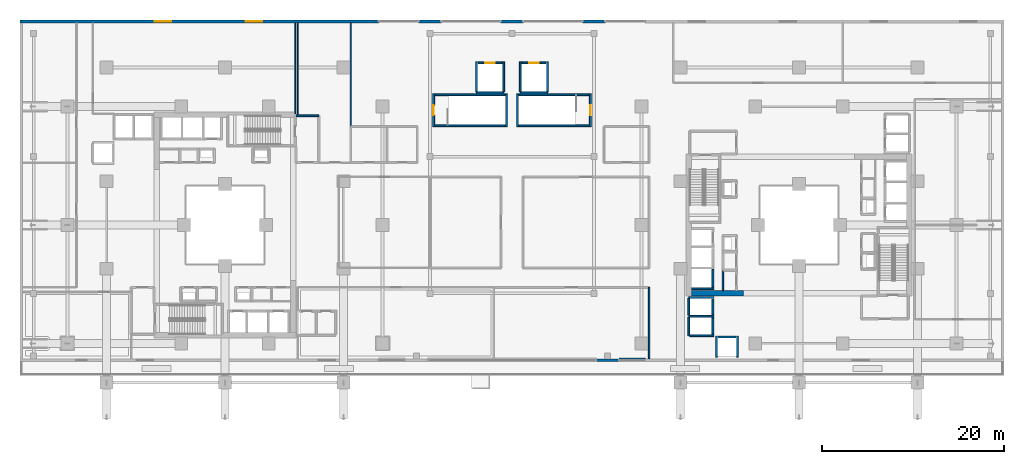
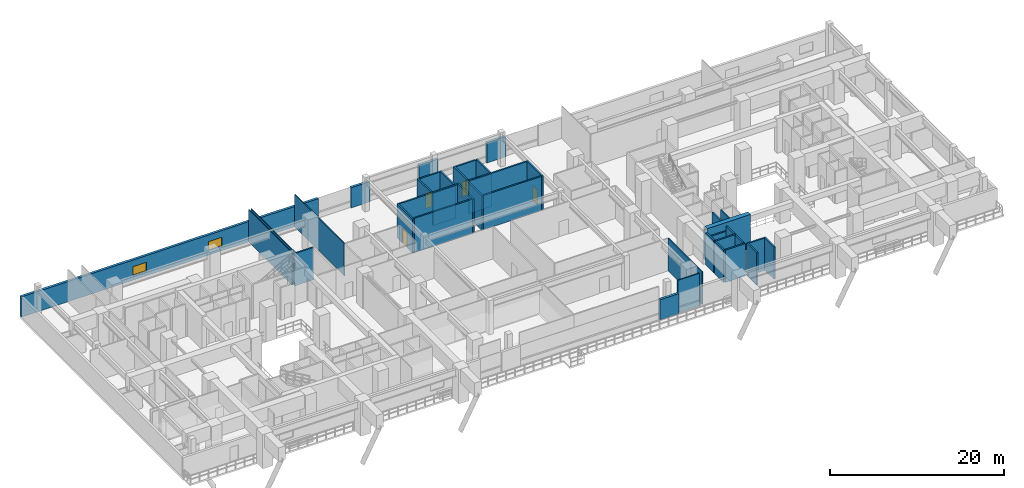
# One storey, part 17 of 25: 42 walls, 4 doors, 2 windows, 6 openings.
"""IFC4 building model written with IfcOpenShell, lengths in metres."""

import ifcopenshell
import ifcopenshell.guid

model = None  # the IFC model being written
_history = None  # IfcOwnerHistory: only IFC2X3 demands one
_inside = {}  # id of a spatial element -> (the spatial element, [elements in it])
_under = {}  # id of a project, library or spatial element -> (it, [spatial elements below it])
_declared = {}  # id of a project -> (the project, [libraries it declares])
_typed = {}  # id of a type object -> (the type object, [elements of that type])
_made_of = {}  # id of a material, layer set ... -> (it, [elements and type objects made of it])


def new_model(schema):
    """Start an empty IFC model of exactly this schema.

    Asked for "IFC4X3", IfcOpenShell would pick the latest addendum, in which some entities
    have other attributes; the version numbers below select the first issue.
    IFC2X3 requires an IfcOwnerHistory on every rooted entity: one is made here for all.
    """
    global model, _history
    if schema == "IFC4X3":
        model = ifcopenshell.file(schema_version=(4, 3, 0, 0))
    else:
        model = ifcopenshell.file(schema=schema)
    _inside.clear()
    _under.clear()
    _declared.clear()
    _typed.clear()
    _made_of.clear()
    _history = None
    if model.schema == "IFC2X3":
        org = make("IfcOrganization", Name="unknown")
        user = make(
            "IfcPersonAndOrganization",
            ThePerson=make("IfcPerson", FamilyName="unknown"),
            TheOrganization=org,
        )
        app = make(
            "IfcApplication",
            ApplicationDeveloper=org,
            Version="unknown",
            ApplicationFullName="unknown",
            ApplicationIdentifier="unknown",
        )
        _history = make(
            "IfcOwnerHistory",
            OwningUser=user,
            OwningApplication=app,
            ChangeAction="ADDED",
            CreationDate=0,
        )
    return model


def make(cls, **values):
    """One entity of the class cls with the attributes given. An attribute that is None is left unset."""
    return model.create_entity(
        cls, **{name: value for name, value in values.items() if value is not None}
    )


def rooted(cls, **values):
    """An entity with a GlobalId (a new one), such as an element, a storey or a relation."""
    return make(cls, GlobalId=ifcopenshell.guid.new(), OwnerHistory=_history, **values)


def si_unit(unit_type, name, prefix=None):
    """IfcSIUnit, for example si_unit("LENGTHUNIT", "METRE", prefix="MILLI")."""
    return make("IfcSIUnit", UnitType=unit_type, Prefix=prefix, Name=name)


def assignment(units):
    """IfcUnitAssignment: the units of a project."""
    return None if units is None else make("IfcUnitAssignment", Units=units)


def point(xyz):
    """IfcCartesianPoint."""
    return None if xyz is None else make("IfcCartesianPoint", Coordinates=xyz)


def direction(xyz):
    """IfcDirection."""
    return None if xyz is None else make("IfcDirection", DirectionRatios=xyz)


def frame(location, z_axis=None, x_axis=None):
    """IfcAxis2Placement3D, a coordinate frame: its origin and axes. An axis left out is left unset."""
    return make(
        "IfcAxis2Placement3D",
        Location=point(location),
        Axis=direction(z_axis),
        RefDirection=direction(x_axis),
    )


def frame_2d(location, x_axis=None):
    """IfcAxis2Placement2D, a coordinate frame in the plane: its origin and x axis."""
    return make(
        "IfcAxis2Placement2D", Location=point(location), RefDirection=direction(x_axis)
    )


def origin():
    """The frame at (0, 0, 0) with its axes left unset."""
    return frame((0.0, 0.0, 0.0))


def place(relative_to, where):
    """IfcLocalPlacement: puts the frame where relative to a parent placement (None: the world)."""
    return make(
        "IfcLocalPlacement", PlacementRelTo=relative_to, RelativePlacement=where
    )


def context(
    kind, dimensions, precision=None, world=None, true_north=None, identifier=None
):
    """IfcGeometricRepresentationContext, for example the 3D "Model" context."""
    return make(
        "IfcGeometricRepresentationContext",
        ContextIdentifier=identifier,
        ContextType=kind,
        CoordinateSpaceDimension=dimensions,
        Precision=precision,
        WorldCoordinateSystem=world,
        TrueNorth=true_north,
    )


def subcontext(parent, identifier, kind, view, scale=None):
    """IfcGeometricRepresentationSubContext, for example "Body" below "Model"."""
    return make(
        "IfcGeometricRepresentationSubContext",
        ContextIdentifier=identifier,
        ContextType=kind,
        ParentContext=parent,
        TargetScale=scale,
        TargetView=view,
    )


def project(units=None, contexts=None):
    """IfcProject with its units and contexts."""
    return rooted(
        "IfcProject",
        Name="project",
        RepresentationContexts=contexts,
        UnitsInContext=assignment(units),
    )


def spatial(cls, under=None, at=None, **own):
    """A site, building, storey or space (cls), placed at a placement, below another one or the project."""
    s = rooted(cls, ObjectPlacement=at, **own)
    if under is not None:
        _under.setdefault(under.id(), (under, []))[1].append(s)
    return s


def profile(cls, at=None, kind="AREA", **sizes):
    """A parametric profile (cls). Its sizes go by their IFC names, for example OverallWidth=200.0."""
    return make(cls, ProfileType=kind, Position=at, **sizes)


def rectangle(**sizes):
    """IfcRectangleProfileDef."""
    return profile("IfcRectangleProfileDef", **sizes)


def extrude(swept, where, along, depth):
    """IfcExtrudedAreaSolid: the profile swept, set in the frame where, extruded along a direction by depth."""
    return make(
        "IfcExtrudedAreaSolid",
        SweptArea=swept,
        Position=where,
        ExtrudedDirection=direction(along),
        Depth=depth,
    )


def shape(context_of_items, identifier, shape_type, items):
    """IfcShapeRepresentation: the items that make up one representation, for example the "Body"."""
    return make(
        "IfcShapeRepresentation",
        ContextOfItems=context_of_items,
        RepresentationIdentifier=identifier,
        RepresentationType=shape_type,
        Items=items,
    )


def material(Name=None, Category=None):
    """IfcMaterial."""
    return make("IfcMaterial", Name=Name, Category=Category)


def layer(
    of_material, thickness, ventilated=None, Name=None, Category=None, Priority=None
):
    """IfcMaterialLayer: one layer of a wall or slab, of a material (None: an air gap)."""
    return make(
        "IfcMaterialLayer",
        Material=of_material,
        LayerThickness=thickness,
        IsVentilated=ventilated,
        Name=Name,
        Category=Category,
        Priority=Priority,
    )


def layer_set(layers, Name=None):
    """IfcMaterialLayerSet."""
    return make("IfcMaterialLayerSet", MaterialLayers=layers, LayerSetName=Name)


def made_of(thing, what):
    """Note that an element or type object is made of a material, layer set ...; save() writes the relation."""
    if what is not None:
        _made_of.setdefault(what.id(), (what, []))[1].append(thing)
    return thing


def type_object(cls, material=None, **own):
    """A type object (cls), such as IfcWallType, which elements share."""
    return made_of(rooted(cls, **own), material)


def element(
    cls,
    number,
    at=None,
    inside=None,
    cuts=None,
    type_object=None,
    material=None,
    context=None,
    identifier="Body",
    shape_type=None,
    held_by="IfcProductDefinitionShape",
    body=None,
    shapes=None,
    **own,
):
    """One element of the class cls, such as IfcWall. Its Tag is "e" and its number.

    at: its placement. inside: the storey or other place that contains it. cuts: it is an
    opening in that element (IfcRelVoidsElement). A single representation is given by context,
    identifier, shape_type and body (its items); several are given by shapes. held_by: the class
    of the entity that holds the representations. save() writes the other relations.
    """
    e = rooted(cls, Tag="e%d" % number, ObjectPlacement=at, **own)
    if body is not None:
        shapes = [shape(context, identifier, shape_type, body)]
    if shapes is not None:
        e.Representation = make(held_by, Representations=shapes)
    if inside is not None:
        _inside.setdefault(inside.id(), (inside, []))[1].append(e)
    if cuts is not None:
        rooted(
            "IfcRelVoidsElement", RelatingBuildingElement=cuts, RelatedOpeningElement=e
        )
    if type_object is not None:
        _typed.setdefault(type_object.id(), (type_object, []))[1].append(e)
    return made_of(e, material)


def fill(opening, filler):
    """IfcRelFillsElement: the door or window that sits in an opening."""
    return rooted(
        "IfcRelFillsElement",
        RelatingOpeningElement=opening,
        RelatedBuildingElement=filler,
    )


def aggregate(whole, parts):
    """IfcRelAggregates: a whole, such as a stair, and the parts it consists of."""
    return rooted("IfcRelAggregates", RelatingObject=whole, RelatedObjects=parts)


def save(model, path):
    """Write the relations noted so far, then the file.

    IfcRelAggregates (storeys below a building ...), IfcRelContainedInSpatialStructure (elements
    in a storey), IfcRelDefinesByType, IfcRelAssociatesMaterial and IfcRelDeclares: one each for
    every whole, place, type object, material and project.
    """
    for whole, parts in _under.values():
        aggregate(whole, parts)
    for where, things in _inside.values():
        rooted(
            "IfcRelContainedInSpatialStructure",
            RelatedElements=things,
            RelatingStructure=where,
        )
    for kind, things in _typed.values():
        rooted("IfcRelDefinesByType", RelatedObjects=things, RelatingType=kind)
    for what, things in _made_of.values():
        rooted("IfcRelAssociatesMaterial", RelatedObjects=things, RelatingMaterial=what)
    for by, libraries in _declared.values():
        rooted("IfcRelDeclares", RelatingContext=by, RelatedDefinitions=libraries)
    model.write(path)


model = new_model("IFC4")

# Units and contexts
model_context = context("Model", 3, precision=1e-05, world=origin(), true_north=direction((0.0, 1.0)))
body_context = subcontext(model_context, "Body", "Model", "MODEL_VIEW")
ifc_project = project(units=[si_unit("LENGTHUNIT", "METRE"), si_unit("AREAUNIT", "SQUARE_METRE"), si_unit("VOLUMEUNIT", "CUBIC_METRE"), si_unit("PLANEANGLEUNIT", "RADIAN"), si_unit("MASSUNIT", "GRAM", prefix="KILO")], contexts=[model_context])

# Site, building, storey
site_placement = place(None, origin())
site = spatial("IfcSite", under=ifc_project, at=site_placement, CompositionType="ELEMENT")
building_placement = place(site_placement, origin())
building = spatial("IfcBuilding", under=site, at=building_placement, Name="Thornwick Lancets Civic Towers", CompositionType="ELEMENT")
storey_placement = place(building_placement, frame((0.0, 0.0, 23.10009765625)))
storey = spatial("IfcBuildingStorey", under=building, at=storey_placement, Name="L05", CompositionType="ELEMENT", Elevation=23.10009765625)

# Walls
ifc_material_1 = material(Name="Concrete blockwork C40/50", Category="masonry")
ifc_layer_1 = layer(ifc_material_1, 0.199951171875, Name="Concrete blockwork C40/50")
ifc_layer_set_1 = layer_set([ifc_layer_1], Name="Concrete blockwork C40/50")
wall_type_1 = type_object("IfcWallType", Name="WALL_COMP_200", PredefinedType="STANDARD", material=ifc_layer_set_1)
wall_1_placement = place(storey_placement, frame((79.050048828125, 20.179931640625, 0.0), z_axis=(0.0, 0.0, 1.0), x_axis=(0.0, 1.0, 0.0)))
element("IfcWall", 1, at=wall_1_placement, inside=storey, type_object=wall_type_1, Name="L05 Hoistway Front Wall PL-BH3", PredefinedType="STANDARD", context=body_context, shape_type="SweptSolid", body=[
    extrude(rectangle(XDim=1.940185546875, YDim=0.199951171875, at=frame_2d((0.97021484375, 0.0))), origin(), (0.0, 0.0, 1.0), 4.539794921875),
])
wall_2_placement = place(storey_placement, frame((79.050048828125, 17.1298828125, 0.0), z_axis=(0.0, 0.0, 1.0), x_axis=(0.0, 1.0, 0.0)))
element("IfcWall", 2, at=wall_2_placement, inside=storey, type_object=wall_type_1, Name="L05 Hoistway Front Wall PL-BM1", PredefinedType="STANDARD", context=body_context, shape_type="SweptSolid", body=[
    extrude(rectangle(XDim=1.740234375, YDim=0.199951171875, at=frame_2d((0.8701171875, 0.0))), origin(), (0.0, 0.0, 1.0), 4.539794921875),
])
wall_3_placement = place(storey_placement, frame((79.050048828125, 15.030029296875, 0.0), z_axis=(0.0, 0.0, 1.0), x_axis=(0.0, 1.0, 0.0)))
element("IfcWall", 3, at=wall_3_placement, inside=storey, type_object=wall_type_1, Name="L05 Hoistway Front Wall PL-BM2", PredefinedType="STANDARD", context=body_context, shape_type="SweptSolid", body=[
    extrude(rectangle(XDim=1.7900390625, YDim=0.199951171875, at=frame_2d((0.89501953125, 0.0))), origin(), (0.0, 0.0, 1.0), 4.539794921875),
])
wall_4_placement = place(storey_placement, frame((79.6298828125, 14.699951171875, 0.0), z_axis=(0.0, 0.0, 1.0), x_axis=(1.0, 0.0, 0.0)))
element("IfcWall", 4, at=wall_4_placement, inside=storey, type_object=wall_type_1, Name="L05 Hoistway Front Wall PL-BM3", PredefinedType="STANDARD", context=body_context, shape_type="SweptSolid", body=[
    extrude(rectangle(XDim=1.940185546875, YDim=0.199951171875, at=frame_2d((0.97021484375, 0.0))), origin(), (0.0, 0.0, 1.0), 4.539794921875),
])

# Wall, opening, door
wall_5_placement = place(storey_placement, frame((53.280029296875, 44.800048828125, 0.0), z_axis=(0.0, 0.0, 1.0), x_axis=(1.0, 0.0, 0.0)))
wall_5 = element("IfcWall", 5, at=wall_5_placement, inside=storey, type_object=wall_type_1, Name="L05 Hoistway Front Wall GL-P1", PredefinedType="STANDARD", context=body_context, shape_type="SweptSolid", body=[
    extrude(rectangle(XDim=2.639892578125, YDim=0.199951171875, at=frame_2d((1.31982421875, 0.0))), origin(), (0.0, 0.0, 1.0), 4.539794921875),
])
opening_1_placement = place(wall_5_placement, frame((0.81005859375, 0.0, 0.0)))
opening_1 = element("IfcOpeningElement", 6, at=opening_1_placement, cuts=wall_5, Name="Opening LD-GL-P1", PredefinedType="OPENING", context=body_context, shape_type="SweptSolid", body=[
    extrude(rectangle(XDim=1.02001953125, YDim=2.06005859375, at=frame_2d((0.510009765625, 1.030029296875))), frame((0.0, 0.10986328125, 0.0), z_axis=(0.0, -1.0, 0.0), x_axis=(1.0, 0.0, 0.0)), (0.0, 0.0, 1.0), 0.219970703125),
])
ifc_material_2 = material(Name="Brushed bronze stainless steel", Category="steel")
door_type_1 = type_object("IfcDoorType", Name="DOOR_LIFT_SLIDE", OperationType="SLIDING_TO_LEFT", PredefinedType="DOOR", material=ifc_material_2)
door_1_placement = place(opening_1_placement, origin())
door_1 = element("IfcDoor", 7, at=door_1_placement, inside=storey, type_object=door_type_1, Name="L05 Sliding Lift Landing Door LD-GL-P1", OperationType="SLIDING_TO_LEFT", OverallHeight=2.06005859375, OverallWidth=1.02001953125, PredefinedType="DOOR", context=body_context, shape_type="SweptSolid", body=[
    extrude(rectangle(XDim=1.02001953125, YDim=2.06005859375, at=frame_2d((0.510009765625, 1.030029296875))), frame((0.0, 0.02490234375, 0.0), z_axis=(0.0, -1.0, 0.0), x_axis=(1.0, 0.0, 0.0)), (0.0, 0.0, 1.0), 0.050048828125),
])
fill(opening_1, door_1)

wall_6_placement = place(storey_placement, frame((58.080078125, 44.800048828125, 0.0), z_axis=(0.0, 0.0, 1.0), x_axis=(1.0, 0.0, 0.0)))
wall_6 = element("IfcWall", 8, at=wall_6_placement, inside=storey, type_object=wall_type_1, Name="L05 Hoistway Front Wall GL-P2", PredefinedType="STANDARD", context=body_context, shape_type="SweptSolid", body=[
    extrude(rectangle(XDim=2.639892578125, YDim=0.199951171875, at=frame_2d((1.31982421875, 0.0))), origin(), (0.0, 0.0, 1.0), 4.539794921875),
])
opening_2_placement = place(wall_6_placement, frame((0.81005859375, 0.0, 0.0)))
opening_2 = element("IfcOpeningElement", 9, at=opening_2_placement, cuts=wall_6, Name="Opening LD-GL-P2", PredefinedType="OPENING", context=body_context, shape_type="SweptSolid", body=[
    extrude(rectangle(XDim=1.02001953125, YDim=2.06005859375, at=frame_2d((0.510009765625, 1.030029296875))), frame((0.0, 0.10986328125, 0.0), z_axis=(0.0, -1.0, 0.0), x_axis=(1.0, 0.0, 0.0)), (0.0, 0.0, 1.0), 0.219970703125),
])
door_2_placement = place(opening_2_placement, origin())
door_2 = element("IfcDoor", 10, at=door_2_placement, inside=storey, type_object=door_type_1, Name="L05 Sliding Lift Landing Door LD-GL-P2", OperationType="SLIDING_TO_LEFT", OverallHeight=2.06005859375, OverallWidth=1.02001953125, PredefinedType="DOOR", context=body_context, shape_type="SweptSolid", body=[
    extrude(rectangle(XDim=1.02001953125, YDim=2.06005859375, at=frame_2d((0.510009765625, 1.030029296875))), frame((0.0, 0.02490234375, 0.0), z_axis=(0.0, -1.0, 0.0), x_axis=(1.0, 0.0, 0.0)), (0.0, 0.0, 1.0), 0.050048828125),
])
fill(opening_2, door_2)

# Walls
wall_7_placement = place(storey_placement, frame((76.7119140625, 20.0, 0.0), z_axis=(0.0, 0.0, 1.0), x_axis=(1.0, 0.0, 0.0)))
element("IfcWall", 11, at=wall_7_placement, inside=storey, type_object=wall_type_1, Name="L05 Hoistway Shaft Wall PL-BH3 S", PredefinedType="STANDARD", context=body_context, shape_type="SweptSolid", body=[
    extrude(rectangle(XDim=2.43603515625, YDim=0.199951171875, at=frame_2d((1.218017578125, 0.0))), origin(), (0.0, 0.0, 1.0), 4.539794921875),
])
wall_8_placement = place(storey_placement, frame((76.402099609375, 19.050048828125, 0.0), z_axis=(0.0, 0.0, 1.0), x_axis=(1.0, 0.0, 0.0)))
element("IfcWall", 12, at=wall_8_placement, inside=storey, type_object=wall_type_1, Name="L05 Hoistway Shaft Wall PL-BM1 N", PredefinedType="STANDARD", context=body_context, shape_type="SweptSolid", body=[
    extrude(rectangle(XDim=2.745849609375, YDim=0.199951171875, at=frame_2d((1.373046875, 0.0))), origin(), (0.0, 0.0, 1.0), 3.744873046875),
])
wall_9_placement = place(storey_placement, frame((76.402099609375, 16.97509765625, 0.0), z_axis=(0.0, 0.0, 1.0), x_axis=(1.0, 0.0, 0.0)))
element("IfcWall", 13, at=wall_9_placement, inside=storey, type_object=wall_type_1, Name="L05 Hoistway Shaft Wall PL-BM1 S", PredefinedType="STANDARD", context=body_context, shape_type="SweptSolid", body=[
    extrude(rectangle(XDim=2.745849609375, YDim=0.199951171875, at=frame_2d((1.373046875, 0.0))), origin(), (0.0, 0.0, 1.0), 4.539794921875),
])
wall_10_placement = place(storey_placement, frame((76.39990234375, 14.85205078125, 0.0), z_axis=(0.0, 0.0, 1.0), x_axis=(0.0, 1.0, 0.0)))
element("IfcWall", 14, at=wall_10_placement, inside=storey, type_object=wall_type_1, Name="L05 Hoistway Shaft Wall PL-BM1 W", PredefinedType="STANDARD", context=body_context, shape_type="SweptSolid", body=[
    extrude(rectangle(XDim=2.015869140625, YDim=0.199951171875, at=frame_2d((1.0078125, 0.0))), origin(), (0.0, 0.0, 1.0), 4.539794921875),
])
wall_11_placement = place(storey_placement, frame((76.39990234375, 17.08203125, 0.0), z_axis=(0.0, 0.0, 1.0), x_axis=(0.0, 1.0, 0.0)))
element("IfcWall", 15, at=wall_11_placement, inside=storey, type_object=wall_type_1, Name="L05 Hoistway Shaft Wall PL-BM1 W", PredefinedType="STANDARD", context=body_context, shape_type="SweptSolid", body=[
    extrude(rectangle(XDim=1.85595703125, YDim=0.199951171875, at=frame_2d((0.927978515625, 0.0))), origin(), (0.0, 0.0, 1.0), 4.539794921875),
])
wall_12_placement = place(storey_placement, frame((76.511962890625, 14.85009765625, 0.0), z_axis=(0.0, 0.0, 1.0), x_axis=(1.0, 0.0, 0.0)))
element("IfcWall", 16, at=wall_12_placement, inside=storey, type_object=wall_type_1, Name="L05 Hoistway Shaft Wall PL-BM2 S", PredefinedType="STANDARD", context=body_context, shape_type="SweptSolid", body=[
    extrude(rectangle(XDim=2.635986328125, YDim=0.199951171875, at=frame_2d((1.31787109375, 0.0))), origin(), (0.0, 0.0, 1.0), 4.539794921875),
])
for number, where, z_axis, x_axis, name in (
    (17, (81.75, 12.501953125, 0.0), (0.0, 0.0, 1.0), (0.0, 1.0, 0.0), "L05 Hoistway Shaft Wall PL-BM3 E"),
    (18, (79.449951171875, 12.501953125, 0.0), (0.0, 0.0, 1.0), (0.0, 1.0, 0.0), "L05 Hoistway Shaft Wall PL-BM3 W"),
):
    element("IfcWall", number, at=place(storey_placement, frame(where, z_axis=z_axis, x_axis=x_axis)), inside=storey, type_object=wall_type_1, Name=name, PredefinedType="STANDARD", context=body_context, shape_type="SweptSolid", body=[
        extrude(rectangle(XDim=2.296142578125, YDim=0.199951171875, at=frame_2d((1.14794921875, 0.0))), origin(), (0.0, 0.0, 1.0), 4.539794921875),
    ])
wall_13_placement = place(storey_placement, frame((53.10205078125, 41.5, 0.0), z_axis=(0.0, 0.0, 1.0), x_axis=(1.0, 0.0, 0.0)))
element("IfcWall", 19, at=wall_13_placement, inside=storey, type_object=wall_type_1, Name="L05 Hoistway Shaft Wall GL-P1 S", PredefinedType="STANDARD", context=body_context, shape_type="SweptSolid", body=[
    extrude(rectangle(XDim=2.995849609375, YDim=0.199951171875, at=frame_2d((1.498046875, 0.0))), origin(), (0.0, 0.0, 1.0), 4.539794921875),
])
for number, where, z_axis, x_axis, name in (
    (20, (56.10009765625, 41.612060546875, 0.0), (0.0, 0.0, 1.0), (0.0, 1.0, 0.0), "L05 Hoistway Shaft Wall GL-P1 E"),
    (21, (53.10009765625, 41.612060546875, 0.0), (0.0, 0.0, 1.0), (0.0, 1.0, 0.0), "L05 Hoistway Shaft Wall GL-P1 W"),
):
    element("IfcWall", number, at=place(storey_placement, frame(where, z_axis=z_axis, x_axis=x_axis)), inside=storey, type_object=wall_type_1, Name=name, PredefinedType="STANDARD", context=body_context, shape_type="SweptSolid", body=[
        extrude(rectangle(XDim=3.285888671875, YDim=0.199951171875, at=frame_2d((1.64306640625, 0.0))), origin(), (0.0, 0.0, 1.0), 4.539794921875),
    ])
wall_14_placement = place(storey_placement, frame((57.902099609375, 41.5, 0.0), z_axis=(0.0, 0.0, 1.0), x_axis=(1.0, 0.0, 0.0)))
element("IfcWall", 22, at=wall_14_placement, inside=storey, type_object=wall_type_1, Name="L05 Hoistway Shaft Wall GL-P2 S", PredefinedType="STANDARD", context=body_context, shape_type="SweptSolid", body=[
    extrude(rectangle(XDim=2.995849609375, YDim=0.199951171875, at=frame_2d((1.498046875, 0.0))), origin(), (0.0, 0.0, 1.0), 4.539794921875),
])
for number, where, z_axis, x_axis, name in (
    (23, (60.89990234375, 41.612060546875, 0.0), (0.0, 0.0, 1.0), (0.0, 1.0, 0.0), "L05 Hoistway Shaft Wall GL-P2 E"),
    (24, (57.89990234375, 41.612060546875, 0.0), (0.0, 0.0, 1.0), (0.0, 1.0, 0.0), "L05 Hoistway Shaft Wall GL-P2 W"),
):
    element("IfcWall", number, at=place(storey_placement, frame(where, z_axis=z_axis, x_axis=x_axis)), inside=storey, type_object=wall_type_1, Name=name, PredefinedType="STANDARD", context=body_context, shape_type="SweptSolid", body=[
        extrude(rectangle(XDim=3.285888671875, YDim=0.199951171875, at=frame_2d((1.64306640625, 0.0))), origin(), (0.0, 0.0, 1.0), 4.539794921875),
    ])
wall_15_placement = place(storey_placement, frame((35.800048828125, 39.0, 0.0), z_axis=(0.0, 0.0, 1.0), x_axis=(-1.0, 0.0, 0.0)))
element("IfcWall", 25, at=wall_15_placement, inside=storey, type_object=wall_type_1, Name="L05 Partition L05-A-FFLOB2 E3", PredefinedType="STANDARD", context=body_context, shape_type="SweptSolid", body=[
    extrude(rectangle(XDim=2.5, YDim=0.199951171875, at=frame_2d((1.25, 0.0))), origin(), (0.0, 0.0, 1.0), 4.539794921875),
])
ifc_material_3 = material(Name="Concrete C60/75", Category="concrete")
ifc_layer_2 = layer(ifc_material_3, 0.60009765625, Name="Concrete C60/75")
ifc_layer_set_2 = layer_set([ifc_layer_2], Name="Concrete C60/75")
wall_type_2 = type_object("IfcWallType", Name="WALL_CORE_600", PredefinedType="SHEAR", material=ifc_layer_set_2)
wall_16_placement = place(storey_placement, frame((76.699951171875, 19.5, 0.0), z_axis=(0.0, 0.0, 1.0), x_axis=(1.0, 0.0, 0.0)))
element("IfcWall", 26, at=wall_16_placement, inside=storey, type_object=wall_type_2, Name="L05 Split Core B2 Shear Wall S", PredefinedType="SHEAR", context=body_context, shape_type="SweptSolid", body=[
    extrude(rectangle(XDim=5.699951171875, YDim=0.60009765625, at=frame_2d((2.85009765625, 0.0))), origin(), (0.0, 0.0, 1.0), 4.7998046875),
])
ifc_material_4 = material(Name="Insulated buff terracotta rainscreen on concrete C40/50", Category="masonry")
ifc_layer_3 = layer(ifc_material_4, 0.320068359375, Name="Insulated buff terracotta rainscreen on concrete C40/50")
ifc_layer_set_3 = layer_set([ifc_layer_3], Name="Insulated buff terracotta rainscreen on concrete C40/50")
wall_type_3 = type_object("IfcWallType", Name="WALL_EXT_TERRA_320", PredefinedType="STANDARD", material=ifc_layer_set_3)
for number, where, z_axis, x_axis, name in (
    (27, (66.25, 12.159912109375, 0.0), (0.0, 0.0, 1.0), (1.0, 0.0, 0.0), "L05 Podium South Facade Pier 2"),
    (28, (67.25, 49.340087890625, 0.0), (0.0, 0.0, 1.0), (-1.0, 0.0, 0.0), "L05 Podium North Facade Pier 1"),
    (29, (58.25, 49.340087890625, 0.0), (0.0, 0.0, 1.0), (-1.0, 0.0, 0.0), "L05 Podium North Facade Pier 2"),
    (30, (49.25, 49.340087890625, 0.0), (0.0, 0.0, 1.0), (-1.0, 0.0, 0.0), "L05 Podium North Facade Pier 3"),
):
    element("IfcWall", number, at=place(storey_placement, frame(where, z_axis=z_axis, x_axis=x_axis)), inside=storey, type_object=wall_type_3, Name=name, PredefinedType="STANDARD", context=body_context, shape_type="SweptSolid", body=[
        extrude(rectangle(XDim=2.5, YDim=0.320068359375, at=frame_2d((1.25, 0.0))), origin(), (0.0, 0.0, 1.0), 2.83984375),
    ])

# Wall, openings, windows
wall_17_placement = place(storey_placement, frame((42.39990234375, 49.340087890625, 0.0), z_axis=(0.0, 0.0, 1.0), x_axis=(-1.0, 0.0, 0.0)))
wall_17 = element("IfcWall", 31, at=wall_17_placement, inside=storey, type_object=wall_type_3, Name="L05 Podium North-West Facade Wall", PredefinedType="STANDARD", context=body_context, shape_type="SweptSolid", body=[
    extrude(rectangle(XDim=39.39990234375, YDim=0.320068359375, at=frame_2d((19.699951171875, 0.0))), origin(), (0.0, 0.0, 1.0), 2.83984375),
])
opening_3_placement = place(wall_17_placement, frame((12.800048828125, 0.0, 0.64990234375)))
opening_3 = element("IfcOpeningElement", 32, at=opening_3_placement, cuts=wall_17, Name="Opening WP-18", PredefinedType="OPENING", context=body_context, shape_type="SweptSolid", body=[
    extrude(rectangle(XDim=1.800048828125, YDim=1.25, at=frame_2d((0.89990234375, 0.625))), frame((0.0, 0.169921875, 0.0), z_axis=(0.0, -1.0, 0.0), x_axis=(1.0, 0.0, 0.0)), (0.0, 0.0, 1.0), 0.340087890625),
])
opening_4_placement = place(wall_17_placement, frame((22.800048828125, 0.0, 0.64990234375)))
opening_4 = element("IfcOpeningElement", 33, at=opening_4_placement, cuts=wall_17, Name="Opening WP-18", PredefinedType="OPENING", context=body_context, shape_type="SweptSolid", body=[
    extrude(rectangle(XDim=1.800048828125, YDim=1.25, at=frame_2d((0.89990234375, 0.625))), frame((0.0, 0.169921875, 0.0), z_axis=(0.0, -1.0, 0.0), x_axis=(1.0, 0.0, 0.0)), (0.0, 0.0, 1.0), 0.340087890625),
])
ifc_material_5 = material(Name="Pointed lancet clear glass window", Category="glass")
window_type = type_object("IfcWindowType", Name="WIN_PODIUM_1800", PartitioningType="SINGLE_PANEL", PredefinedType="WINDOW", material=ifc_material_5)
window_1_placement = place(opening_3_placement, origin())
window_1 = element("IfcWindow", 34, at=window_1_placement, inside=storey, type_object=window_type, Name="L05 Podium Lancet Window 2", OverallHeight=1.25, OverallWidth=1.800048828125, PartitioningType="SINGLE_PANEL", PredefinedType="WINDOW", context=body_context, shape_type="SweptSolid", body=[
    extrude(rectangle(XDim=1.800048828125, YDim=1.25, at=frame_2d((0.89990234375, 0.625))), frame((0.0, 0.030029296875, 0.0), z_axis=(0.0, -1.0, 0.0), x_axis=(1.0, 0.0, 0.0)), (0.0, 0.0, 1.0), 0.06005859375),
])
fill(opening_3, window_1)
window_2_placement = place(opening_4_placement, origin())
window_2 = element("IfcWindow", 35, at=window_2_placement, inside=storey, type_object=window_type, Name="L05 Podium Lancet Window 3", OverallHeight=1.25, OverallWidth=1.800048828125, PartitioningType="SINGLE_PANEL", PredefinedType="WINDOW", context=body_context, shape_type="SweptSolid", body=[
    extrude(rectangle(XDim=1.800048828125, YDim=1.25, at=frame_2d((0.89990234375, 0.625))), frame((0.0, 0.030029296875, 0.0), z_axis=(0.0, -1.0, 0.0), x_axis=(1.0, 0.0, 0.0)), (0.0, 0.0, 1.0), 0.06005859375),
])
fill(opening_4, window_2)

# Walls
ifc_material_6 = material(Name="Acoustic gypsum board partition")
ifc_layer_4 = layer(ifc_material_6, 0.1201171875, Name="Acoustic gypsum board partition")
ifc_layer_set_4 = layer_set([ifc_layer_4], Name="Acoustic gypsum board partition")
wall_type_4 = type_object("IfcWallType", Name="WALL_PART_120", PredefinedType="PARTITIONING", material=ifc_layer_set_4)
wall_18_placement = place(storey_placement, frame((39.300048828125, 49.179931640625, 0.0), z_axis=(0.0, 0.0, 1.0), x_axis=(0.0, -1.0, 0.0)))
element("IfcWall", 36, at=wall_18_placement, inside=storey, type_object=wall_type_4, Name="L05 Partition L05-LIB E2", PredefinedType="PARTITIONING", context=body_context, shape_type="SweptSolid", body=[
    extrude(rectangle(XDim=11.3798828125, YDim=0.1201171875, at=frame_2d((5.68994140625, 0.0))), origin(), (0.0, 0.0, 1.0), 4.539794921875),
])
wall_19_placement = place(storey_placement, frame((33.5, 39.0, 0.0), z_axis=(0.0, 0.0, 1.0), x_axis=(0.0, 1.0, 0.0)))
element("IfcWall", 37, at=wall_19_placement, inside=storey, type_object=wall_type_4, Name="L05 Partition L05-LIB E7", PredefinedType="PARTITIONING", context=body_context, shape_type="SweptSolid", body=[
    extrude(rectangle(XDim=10.179931640625, YDim=0.1201171875, at=frame_2d((5.08984375, 0.0))), origin(), (0.0, 0.0, 1.0), 4.539794921875),
])
wall_20_placement = place(storey_placement, frame((33.199951171875, 49.179931640625, 0.0), z_axis=(0.0, 0.0, 1.0), x_axis=(0.0, -1.0, 0.0)))
element("IfcWall", 38, at=wall_20_placement, inside=storey, type_object=wall_type_4, Name="L05 Partition L05-NWR E3", PredefinedType="PARTITIONING", context=body_context, shape_type="SweptSolid", body=[
    extrude(rectangle(XDim=9.97998046875, YDim=0.1201171875, at=frame_2d((4.989990234375, 0.0))), origin(), (0.0, 0.0, 1.0), 4.539794921875),
])
ifc_material_7 = material(Name="Twin-stud acoustic gypsum board")
ifc_layer_5 = layer(ifc_material_7, 0.14990234375, Name="Twin-stud acoustic gypsum board")
ifc_layer_set_5 = layer_set([ifc_layer_5], Name="Twin-stud acoustic gypsum board")
wall_type_5 = type_object("IfcWallType", Name="WALL_PART_150", PredefinedType="PARTITIONING", material=ifc_layer_set_5)
wall_21_placement = place(storey_placement, frame((80.14990234375, 22.050048828125, 0.0), z_axis=(0.0, 0.0, 1.0), x_axis=(0.0, -1.0, 0.0)))
element("IfcWall", 39, at=wall_21_placement, inside=storey, type_object=wall_type_5, Name="L05 Partition L05-B-AWC E4", PredefinedType="PARTITIONING", context=body_context, shape_type="SweptSolid", body=[
    extrude(rectangle(XDim=2.25, YDim=0.14990234375, at=frame_2d((1.125, 0.0))), origin(), (0.0, 0.0, 1.0), 4.539794921875),
])
wall_22_placement = place(storey_placement, frame((72.050048828125, 20.14990234375, 0.0), z_axis=(0.0, 0.0, 1.0), x_axis=(0.0, -1.0, 0.0)))
element("IfcWall", 40, at=wall_22_placement, inside=storey, type_object=wall_type_5, Name="L05 Partition L05-TRIB E2", PredefinedType="PARTITIONING", context=body_context, shape_type="SweptSolid", body=[
    extrude(rectangle(XDim=5.349853515625, YDim=0.14990234375, at=frame_2d((2.6748046875, 0.0))), origin(), (0.0, 0.0, 1.0), 4.539794921875),
])
wall_23_placement = place(storey_placement, frame((72.050048828125, 14.800048828125, 0.0), z_axis=(0.0, 0.0, 1.0), x_axis=(0.0, -1.0, 0.0)))
element("IfcWall", 41, at=wall_23_placement, inside=storey, type_object=wall_type_5, Name="L05 Partition L05-TRIB E3", PredefinedType="PARTITIONING", context=body_context, shape_type="SweptSolid", body=[
    extrude(rectangle(XDim=2.47998046875, YDim=0.14990234375, at=frame_2d((1.239990234375, 0.0))), origin(), (0.0, 0.0, 1.0), 4.539794921875),
])
wall_24_placement = place(storey_placement, frame((71.60009765625, 12.320068359375, 0.0), z_axis=(0.0, 0.0, 1.0), x_axis=(-1.0, 0.0, 0.0)))
element("IfcWall", 42, at=wall_24_placement, inside=storey, type_object=wall_type_5, Name="L05 Partition L05-TRIB E4", PredefinedType="PARTITIONING", context=body_context, shape_type="SweptSolid", body=[
    extrude(rectangle(XDim=2.85009765625, YDim=0.14990234375, at=frame_2d((1.425048828125, 0.0))), origin(), (0.0, 0.0, 1.0), 4.539794921875),
])

# Wall, opening, door
ifc_material_8 = material(Name="Concrete C40/50", Category="concrete")
ifc_layer_6 = layer(ifc_material_8, 0.199951171875, Name="Concrete C40/50")
ifc_layer_set_6 = layer_set([ifc_layer_6], Name="Concrete C40/50")
wall_type_6 = type_object("IfcWallType", Name="WALL_SHAFT_200", PredefinedType="SHEAR", material=ifc_layer_set_6)
wall_25_placement = place(storey_placement, frame((48.39990234375, 37.800048828125, 0.0), z_axis=(0.0, 0.0, 1.0), x_axis=(0.0, 1.0, 0.0)))
wall_25 = element("IfcWall", 43, at=wall_25_placement, inside=storey, type_object=wall_type_6, Name="L05 ST-P5 Fire Stair Core Wall NEAR", PredefinedType="SHEAR", context=body_context, shape_type="SweptSolid", body=[
    extrude(rectangle(XDim=3.599853515625, YDim=0.199951171875, at=frame_2d((1.7998046875, 0.0))), origin(), (0.0, 0.0, 1.0), 4.7998046875),
])
opening_5_placement = place(wall_25_placement, frame((1.25, 0.0, 0.0)))
opening_5 = element("IfcOpeningElement", 44, at=opening_5_placement, cuts=wall_25, Name="Opening D-ST-P5-L05", PredefinedType="OPENING", context=body_context, shape_type="SweptSolid", body=[
    extrude(rectangle(XDim=1.10009765625, YDim=2.10009765625, at=frame_2d((0.550048828125, 1.050048828125))), frame((0.0, 0.10986328125, 0.0), z_axis=(0.0, -1.0, 0.0), x_axis=(1.0, 0.0, 0.0)), (0.0, 0.0, 1.0), 0.219970703125),
])
ifc_material_9 = material(Name="Fire-resisting steel and hardwood", Category="steel")
door_type_2 = type_object("IfcDoorType", Name="DOOR_STAIR_FD60", OperationType="NOTDEFINED", PredefinedType="DOOR", material=ifc_material_9)
door_3_placement = place(opening_5_placement, origin())
door_3 = element("IfcDoor", 45, at=door_3_placement, inside=storey, type_object=door_type_2, Name="L05 ST-P5 Exit Stair Door", OperationType="SINGLE_SWING_LEFT", OverallHeight=2.10009765625, OverallWidth=1.10009765625, PredefinedType="DOOR", context=body_context, shape_type="SweptSolid", body=[
    extrude(rectangle(XDim=1.10009765625, YDim=2.10009765625, at=frame_2d((0.550048828125, 1.050048828125))), frame((0.0, 0.02490234375, 0.0), z_axis=(0.0, -1.0, 0.0), x_axis=(1.0, 0.0, 0.0)), (0.0, 0.0, 1.0), 0.050048828125),
])
fill(opening_5, door_3)

# Walls
wall_26_placement = place(storey_placement, frame((56.39990234375, 41.39990234375, 0.0), z_axis=(0.0, 0.0, 1.0), x_axis=(0.0, -1.0, 0.0)))
element("IfcWall", 46, at=wall_26_placement, inside=storey, type_object=wall_type_6, Name="L05 ST-P5 Fire Stair Core Wall FAR", PredefinedType="SHEAR", context=body_context, shape_type="SweptSolid", body=[
    extrude(rectangle(XDim=3.599853515625, YDim=0.199951171875, at=frame_2d((1.7998046875, 0.0))), origin(), (0.0, 0.0, 1.0), 4.7998046875),
])
for number, where, z_axis, x_axis, name in (
    (47, (56.25, 41.297119140625, 0.0), (0.0, 0.0, 1.0), (-1.0, 0.0, 0.0), "L05 ST-P5 Fire Stair Core Wall RIGHT"),
    (48, (48.550048828125, 37.903076171875, 0.0), (0.0, 0.0, 1.0), (1.0, 0.0, 0.0), "L05 ST-P5 Fire Stair Core Wall LEFT"),
):
    element("IfcWall", number, at=place(storey_placement, frame(where, z_axis=z_axis, x_axis=x_axis)), inside=storey, type_object=wall_type_6, Name=name, PredefinedType="SHEAR", context=body_context, shape_type="SweptSolid", body=[
        extrude(rectangle(XDim=7.699951171875, YDim=0.199951171875, at=frame_2d((3.85009765625, 0.0))), origin(), (0.0, 0.0, 1.0), 4.7998046875),
    ])

# Wall, opening, door
wall_27_placement = place(storey_placement, frame((65.60009765625, 41.39990234375, 0.0), z_axis=(0.0, 0.0, 1.0), x_axis=(0.0, -1.0, 0.0)))
wall_27 = element("IfcWall", 49, at=wall_27_placement, inside=storey, type_object=wall_type_6, Name="L05 ST-P6 Fire Stair Core Wall NEAR", PredefinedType="SHEAR", context=body_context, shape_type="SweptSolid", body=[
    extrude(rectangle(XDim=3.599853515625, YDim=0.199951171875, at=frame_2d((1.7998046875, 0.0))), origin(), (0.0, 0.0, 1.0), 4.7998046875),
])
opening_6_placement = place(wall_27_placement, frame((1.25, 0.0, 0.0)))
opening_6 = element("IfcOpeningElement", 50, at=opening_6_placement, cuts=wall_27, Name="Opening D-ST-P6-L05", PredefinedType="OPENING", context=body_context, shape_type="SweptSolid", body=[
    extrude(rectangle(XDim=1.10009765625, YDim=2.10009765625, at=frame_2d((0.550048828125, 1.050048828125))), frame((0.0, 0.10986328125, 0.0), z_axis=(0.0, -1.0, 0.0), x_axis=(1.0, 0.0, 0.0)), (0.0, 0.0, 1.0), 0.219970703125),
])
door_4_placement = place(opening_6_placement, origin())
door_4 = element("IfcDoor", 51, at=door_4_placement, inside=storey, type_object=door_type_2, Name="L05 ST-P6 Exit Stair Door", OperationType="SINGLE_SWING_RIGHT", OverallHeight=2.10009765625, OverallWidth=1.10009765625, PredefinedType="DOOR", context=body_context, shape_type="SweptSolid", body=[
    extrude(rectangle(XDim=1.10009765625, YDim=2.10009765625, at=frame_2d((0.550048828125, 1.050048828125))), frame((0.0, 0.02490234375, 0.0), z_axis=(0.0, -1.0, 0.0), x_axis=(1.0, 0.0, 0.0)), (0.0, 0.0, 1.0), 0.050048828125),
])
fill(opening_6, door_4)

# Walls
wall_28_placement = place(storey_placement, frame((57.60009765625, 37.800048828125, 0.0), z_axis=(0.0, 0.0, 1.0), x_axis=(0.0, 1.0, 0.0)))
element("IfcWall", 52, at=wall_28_placement, inside=storey, type_object=wall_type_6, Name="L05 ST-P6 Fire Stair Core Wall FAR", PredefinedType="SHEAR", context=body_context, shape_type="SweptSolid", body=[
    extrude(rectangle(XDim=3.599853515625, YDim=0.199951171875, at=frame_2d((1.7998046875, 0.0))), origin(), (0.0, 0.0, 1.0), 4.7998046875),
])
for number, where, z_axis, x_axis, name in (
    (53, (57.75, 37.903076171875, 0.0), (0.0, 0.0, 1.0), (1.0, 0.0, 0.0), "L05 ST-P6 Fire Stair Core Wall RIGHT"),
    (54, (65.449951171875, 41.297119140625, 0.0), (0.0, 0.0, 1.0), (-1.0, 0.0, 0.0), "L05 ST-P6 Fire Stair Core Wall LEFT"),
):
    element("IfcWall", number, at=place(storey_placement, frame(where, z_axis=z_axis, x_axis=x_axis)), inside=storey, type_object=wall_type_6, Name=name, PredefinedType="SHEAR", context=body_context, shape_type="SweptSolid", body=[
        extrude(rectangle(XDim=7.699951171875, YDim=0.199951171875, at=frame_2d((3.85009765625, 0.0))), origin(), (0.0, 0.0, 1.0), 4.7998046875),
    ])

save(model, "model.ifc")
